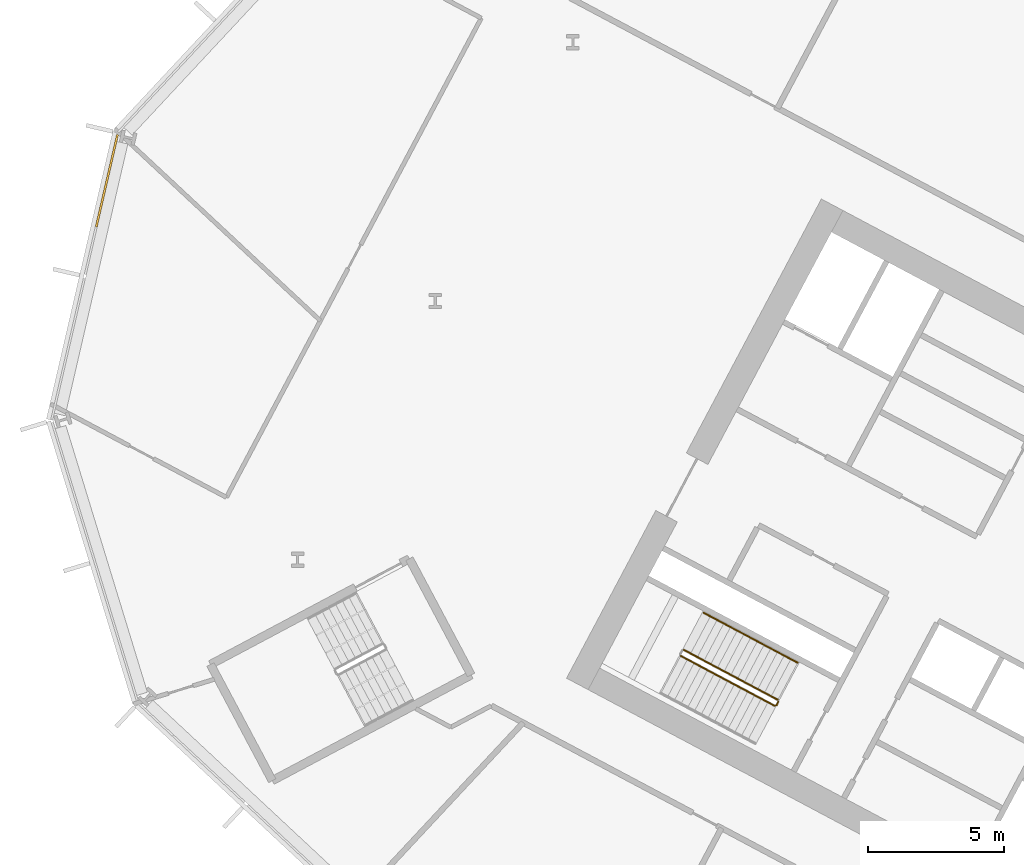
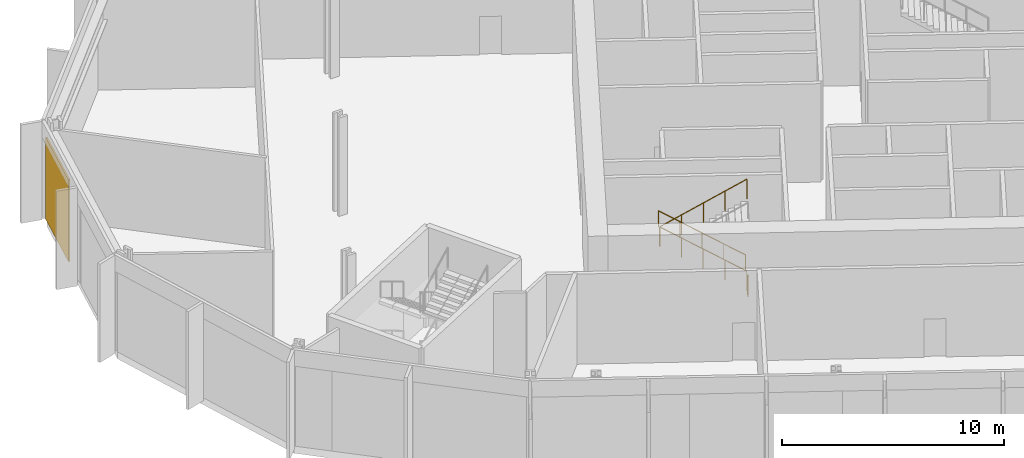
# One storey, part 23 of 32: 4 railings, 1 covering, 1 element without a shape of its own.
"""IFC4 building model written with IfcOpenShell, lengths in metres."""

from ifc_helpers import new_model, si_unit, direction, frame, origin, origin_2d, place, context, subcontext, project, spatial, polyline, rectangle, outline, extrude, material, layer, layer_set, type_object, element, aggregate, save


model = new_model("IFC4")

# Units and contexts
model_context = context("Model", 3, precision=1e-05, world=origin(), true_north=direction((0.0, 1.0)))
body_context = subcontext(model_context, "Body", "Model", "MODEL_VIEW")
ifc_project = project(units=[si_unit("LENGTHUNIT", "METRE"), si_unit("AREAUNIT", "SQUARE_METRE"), si_unit("VOLUMEUNIT", "CUBIC_METRE"), si_unit("PLANEANGLEUNIT", "RADIAN"), si_unit("MASSUNIT", "GRAM", prefix="KILO")], contexts=[model_context])

# Site, building, storey
site_placement = place(None, origin())
site = spatial("IfcSite", under=ifc_project, at=site_placement, CompositionType="ELEMENT")
building_placement = place(site_placement, origin())
building = spatial("IfcBuilding", under=site, at=building_placement, Name="Cormorant Relay Tower", CompositionType="ELEMENT")
storey_placement = place(building_placement, frame((0.0, 0.0, 39.199951171875)))
storey = spatial("IfcBuildingStorey", under=building, at=storey_placement, Name="L07", CompositionType="ELEMENT", Elevation=39.199951171875)

# Curtain wall, covering
ifc_material_1 = material(Name="Aluminium 6063-T6 anodised bronze", Category="aluminium")
ifc_layer_1 = layer(ifc_material_1, 0.235107421875)
ifc_layer_set_1 = layer_set([ifc_layer_1], Name="CW6 data hall curtain wall with mineral wool panels")
curtain_wall_type = type_object("IfcCurtainWallType", Name="CW6 data hall curtain wall with mineral wool panels", PredefinedType="NOTDEFINED", material=ifc_layer_set_1)
curtain_wall_placement = place(storey_placement, origin())
curtain_wall = element("IfcCurtainWall", 1, at=curtain_wall_placement, inside=storey, type_object=curtain_wall_type, Name="CW6 curtain wall 11", PredefinedType="NOTDEFINED")
ifc_material_2 = material(Name="Mineral wool cored anodised bronze aluminium cassette panel", Category="aluminium")
ifc_layer_2 = layer(ifc_material_2, 0.074951171875)
ifc_layer_set_2 = layer_set([ifc_layer_2], Name="CW6 mineral wool cassette panel 75")
covering_type = type_object("IfcCoveringType", Name="CW6 mineral wool cassette panel 75", PredefinedType="CLADDING", material=ifc_layer_set_2)
covering_placement = place(storey_placement, frame((-58.719970703125, 29.222412109375, 0.0), z_axis=(0.0, 0.0, 1.0), x_axis=(-0.224951054344, -0.974370064785, 0.0)))
covering = element("IfcCovering", 2, at=covering_placement, type_object=covering_type, Name="CW6 panel S00", PredefinedType="CLADDING", context=body_context, shape_type="SweptSolid", body=[
    extrude(rectangle(XDim=3.485107421875, YDim=0.074951171875, at=origin_2d()), origin(), (0.0, 0.0, 1.0), 4.5),
])
aggregate(curtain_wall, [covering])

# Railings
ifc_material_3 = material(Name="Steel ASTM A572 Grade 50 (Fy 345 MPa)", Category="steel")
railing_type_1 = type_object("IfcRailingType", Name="Stair guard 1100", PredefinedType="GUARDRAIL", material=ifc_material_3)
railing_1_placement = place(storey_placement, frame((-33.9921875, 10.08935546875, 0.179931640625)))
element("IfcRailing", 3, at=railing_1_placement, inside=storey, type_object=railing_type_1, Name="L07 A2 stair guard 1", PredefinedType="GUARDRAIL", context=body_context, shape_type="SweptSolid", body=[
    extrude(outline(polyline([(0.022216796875, 0.00927734375), (0.00927734375, 0.022216796875), (-0.00927734375, 0.022216796875), (-0.022216796875, 0.00927734375), (-0.022216796875, -0.00927734375), (-0.00927734375, -0.022216796875), (0.00927734375, -0.022216796875), (0.022216796875, -0.00927734375), (0.022216796875, 0.00927734375)])), frame((0.0, 0.0, 1.076171875), z_axis=(-0.74271721126, 0.394907409077, 0.540758062681), x_axis=(-0.469469396681, -0.882948744594, 0.0)), (0.0, 0.0, 1.0), 4.66015625),
    extrude(outline(polyline([(0.019287109375, 0.008056640625), (0.008056640625, 0.019287109375), (-0.008056640625, 0.019287109375), (-0.019287109375, 0.008056640625), (-0.019287109375, -0.008056640625), (-0.008056640625, -0.019287109375), (0.008056640625, -0.019287109375), (0.019287109375, -0.008056640625), (0.019287109375, 0.008056640625)])), origin(), (0.0, 0.0, 1.0), 1.052001953125),
    extrude(outline(polyline([(0.019287109375, 0.008056640625), (0.008056640625, 0.019287109375), (-0.008056640625, 0.019287109375), (-0.019287109375, 0.008056640625), (-0.019287109375, -0.008056640625), (-0.008056640625, -0.019287109375), (0.008056640625, -0.019287109375), (0.019287109375, -0.008056640625), (0.019287109375, 0.008056640625)])), frame((-0.865234375, 0.4599609375, 0.6298828125)), (0.0, 0.0, 1.0), 1.052001953125),
    extrude(outline(polyline([(0.019287109375, 0.008056640625), (0.008056640625, 0.019287109375), (-0.008056640625, 0.019287109375), (-0.019287109375, 0.008056640625), (-0.019287109375, -0.008056640625), (-0.008056640625, -0.019287109375), (0.008056640625, -0.019287109375), (0.019287109375, -0.008056640625), (0.019287109375, 0.008056640625)])), frame((-1.73046875, 0.920166015625, 1.260009765625)), (0.0, 0.0, 1.0), 1.052001953125),
    extrude(outline(polyline([(0.019287109375, 0.008056640625), (0.008056640625, 0.019287109375), (-0.008056640625, 0.019287109375), (-0.019287109375, 0.008056640625), (-0.019287109375, -0.008056640625), (-0.008056640625, -0.019287109375), (0.008056640625, -0.019287109375), (0.019287109375, -0.008056640625), (0.019287109375, 0.008056640625)])), frame((-2.595947265625, 1.38037109375, 1.89013671875)), (0.0, 0.0, 1.0), 1.052001953125),
    extrude(outline(polyline([(0.019287109375, 0.008056640625), (0.008056640625, 0.019287109375), (-0.008056640625, 0.019287109375), (-0.019287109375, 0.008056640625), (-0.019287109375, -0.008056640625), (-0.008056640625, -0.019287109375), (0.008056640625, -0.019287109375), (0.019287109375, -0.008056640625), (0.019287109375, 0.008056640625)])), frame((-3.461181640625, 1.84033203125, 2.52001953125)), (0.0, 0.0, 1.0), 1.052001953125),
])
railing_2_placement = place(storey_placement, frame((-37.57080078125, 11.708984375, 2.880126953125)))
element("IfcRailing", 4, at=railing_2_placement, inside=storey, type_object=railing_type_1, Name="L07 A2 stair guard 3", PredefinedType="GUARDRAIL", context=body_context, shape_type="SweptSolid", body=[
    extrude(outline(polyline([(0.022216796875, 0.00927734375), (0.00927734375, 0.022216796875), (-0.00927734375, 0.022216796875), (-0.022216796875, 0.00927734375), (-0.022216796875, -0.00927734375), (-0.00927734375, -0.022216796875), (0.00927734375, -0.022216796875), (0.022216796875, -0.00927734375), (0.022216796875, 0.00927734375)])), frame((0.0, 0.0, 1.076171875), z_axis=(0.74271721126, -0.394907409077, 0.540758062681), x_axis=(0.469469396681, 0.882948744594, 0.0)), (0.0, 0.0, 1.0), 4.66015625),
    extrude(outline(polyline([(0.019287109375, 0.008056640625), (0.008056640625, 0.019287109375), (-0.008056640625, 0.019287109375), (-0.019287109375, 0.008056640625), (-0.019287109375, -0.008056640625), (-0.008056640625, -0.019287109375), (0.008056640625, -0.019287109375), (0.019287109375, -0.008056640625), (0.019287109375, 0.008056640625)])), origin(), (0.0, 0.0, 1.0), 1.052001953125),
    extrude(outline(polyline([(0.019287109375, 0.008056640625), (0.008056640625, 0.019287109375), (-0.008056640625, 0.019287109375), (-0.019287109375, 0.008056640625), (-0.019287109375, -0.008056640625), (-0.008056640625, -0.019287109375), (0.008056640625, -0.019287109375), (0.019287109375, -0.008056640625), (0.019287109375, 0.008056640625)])), frame((0.865234375, -0.4599609375, 0.6298828125)), (0.0, 0.0, 1.0), 1.052001953125),
    extrude(outline(polyline([(0.019287109375, 0.008056640625), (0.008056640625, 0.019287109375), (-0.008056640625, 0.019287109375), (-0.019287109375, 0.008056640625), (-0.019287109375, -0.008056640625), (-0.008056640625, -0.019287109375), (0.008056640625, -0.019287109375), (0.019287109375, -0.008056640625), (0.019287109375, 0.008056640625)])), frame((1.73046875, -0.920166015625, 1.260009765625)), (0.0, 0.0, 1.0), 1.052001953125),
    extrude(outline(polyline([(0.019287109375, 0.008056640625), (0.008056640625, 0.019287109375), (-0.008056640625, 0.019287109375), (-0.019287109375, 0.008056640625), (-0.019287109375, -0.008056640625), (-0.008056640625, -0.019287109375), (0.008056640625, -0.019287109375), (0.019287109375, -0.008056640625), (0.019287109375, 0.008056640625)])), frame((2.595947265625, -1.38037109375, 1.89013671875)), (0.0, 0.0, 1.0), 1.052001953125),
    extrude(outline(polyline([(0.019287109375, 0.008056640625), (0.008056640625, 0.019287109375), (-0.008056640625, 0.019287109375), (-0.019287109375, 0.008056640625), (-0.019287109375, -0.008056640625), (-0.008056640625, -0.019287109375), (0.008056640625, -0.019287109375), (0.019287109375, -0.008056640625), (0.019287109375, 0.008056640625)])), frame((3.461181640625, -1.84033203125, 2.52001953125)), (0.0, 0.0, 1.0), 1.052001953125),
])
railing_3_placement = place(storey_placement, frame((-33.971435546875, 10.021728515625, 0.0)))
element("IfcRailing", 5, at=railing_3_placement, inside=storey, type_object=railing_type_1, Name="L07 A2 stair guard 4", PredefinedType="GUARDRAIL", context=body_context, shape_type="SweptSolid", body=[
    extrude(outline(polyline([(0.022216796875, 0.00927734375), (0.00927734375, 0.022216796875), (-0.00927734375, 0.022216796875), (-0.022216796875, 0.00927734375), (-0.022216796875, -0.00927734375), (-0.00927734375, -0.022216796875), (0.00927734375, -0.022216796875), (0.022216796875, -0.00927734375), (0.022216796875, 0.00927734375)])), frame((0.0, 0.0, 1.076171875), z_axis=(-0.470503732759, -0.882398003998, 0.0), x_axis=(0.882398003998, -0.470503732759, 0.0)), (0.0, 0.0, 1.0), 0.14990234375),
    extrude(outline(polyline([(0.019287109375, 0.008056640625), (0.008056640625, 0.019287109375), (-0.008056640625, 0.019287109375), (-0.019287109375, 0.008056640625), (-0.019287109375, -0.008056640625), (-0.008056640625, -0.019287109375), (0.008056640625, -0.019287109375), (0.019287109375, -0.008056640625), (0.019287109375, 0.008056640625)])), origin(), (0.0, 0.0, 1.0), 1.052001953125),
    extrude(outline(polyline([(0.019287109375, 0.008056640625), (0.008056640625, 0.019287109375), (-0.008056640625, 0.019287109375), (-0.019287109375, 0.008056640625), (-0.019287109375, -0.008056640625), (-0.008056640625, -0.019287109375), (0.008056640625, -0.019287109375), (0.019287109375, -0.008056640625), (0.019287109375, 0.008056640625)])), frame((-0.070556640625, -0.13232421875, 0.0)), (0.0, 0.0, 1.0), 1.052001953125),
])
ifc_material_4 = material(Name="Steel ASTM A572 Grade 50 (Fy 345 MPa)", Category="steel")
railing_type_2 = type_object("IfcRailingType", Name="Stair handrail 900", PredefinedType="HANDRAIL", material=ifc_material_4)
railing_4_placement = place(storey_placement, frame((-33.264404296875, 11.4580078125, 0.179931640625)))
element("IfcRailing", 6, at=railing_4_placement, inside=storey, type_object=railing_type_2, Name="L07 A2 stair handrail 1", PredefinedType="HANDRAIL", context=body_context, shape_type="SweptSolid", body=[
    extrude(outline(polyline([(0.022216796875, 0.00927734375), (0.00927734375, 0.022216796875), (-0.00927734375, 0.022216796875), (-0.022216796875, 0.00927734375), (-0.022216796875, -0.00927734375), (-0.00927734375, -0.022216796875), (0.00927734375, -0.022216796875), (0.022216796875, -0.00927734375), (0.022216796875, 0.00927734375)])), frame((0.0, 0.0, 0.8759765625), z_axis=(-0.74271721126, 0.394907409077, 0.540758062681), x_axis=(-0.469469396681, -0.882948744594, 0.0)), (0.0, 0.0, 1.0), 4.66015625),
    extrude(outline(polyline([(0.019287109375, 0.008056640625), (0.008056640625, 0.019287109375), (-0.008056640625, 0.019287109375), (-0.019287109375, 0.008056640625), (-0.019287109375, -0.008056640625), (-0.008056640625, -0.019287109375), (0.008056640625, -0.019287109375), (0.019287109375, -0.008056640625), (0.019287109375, 0.008056640625)])), origin(), (0.0, 0.0, 1.0), 0.851806640625),
    extrude(outline(polyline([(0.019287109375, 0.008056640625), (0.008056640625, 0.019287109375), (-0.008056640625, 0.019287109375), (-0.019287109375, 0.008056640625), (-0.019287109375, -0.008056640625), (-0.008056640625, -0.019287109375), (0.008056640625, -0.019287109375), (0.019287109375, -0.008056640625), (0.019287109375, 0.008056640625)])), frame((-0.865234375, 0.4599609375, 0.6298828125)), (0.0, 0.0, 1.0), 0.851806640625),
    extrude(outline(polyline([(0.019287109375, 0.008056640625), (0.008056640625, 0.019287109375), (-0.008056640625, 0.019287109375), (-0.019287109375, 0.008056640625), (-0.019287109375, -0.008056640625), (-0.008056640625, -0.019287109375), (0.008056640625, -0.019287109375), (0.019287109375, -0.008056640625), (0.019287109375, 0.008056640625)])), frame((-1.73046875, 0.920166015625, 1.260009765625)), (0.0, 0.0, 1.0), 0.851806640625),
    extrude(outline(polyline([(0.019287109375, 0.008056640625), (0.008056640625, 0.019287109375), (-0.008056640625, 0.019287109375), (-0.019287109375, 0.008056640625), (-0.019287109375, -0.008056640625), (-0.008056640625, -0.019287109375), (0.008056640625, -0.019287109375), (0.019287109375, -0.008056640625), (0.019287109375, 0.008056640625)])), frame((-2.595947265625, 1.38037109375, 1.89013671875)), (0.0, 0.0, 1.0), 0.851806640625),
    extrude(outline(polyline([(0.019287109375, 0.008056640625), (0.008056640625, 0.019287109375), (-0.008056640625, 0.019287109375), (-0.019287109375, 0.008056640625), (-0.019287109375, -0.008056640625), (-0.008056640625, -0.019287109375), (0.008056640625, -0.019287109375), (0.019287109375, -0.008056640625), (0.019287109375, 0.008056640625)])), frame((-3.461181640625, 1.84033203125, 2.52001953125)), (0.0, 0.0, 1.0), 0.851806640625),
])

save(model, "model.ifc")
